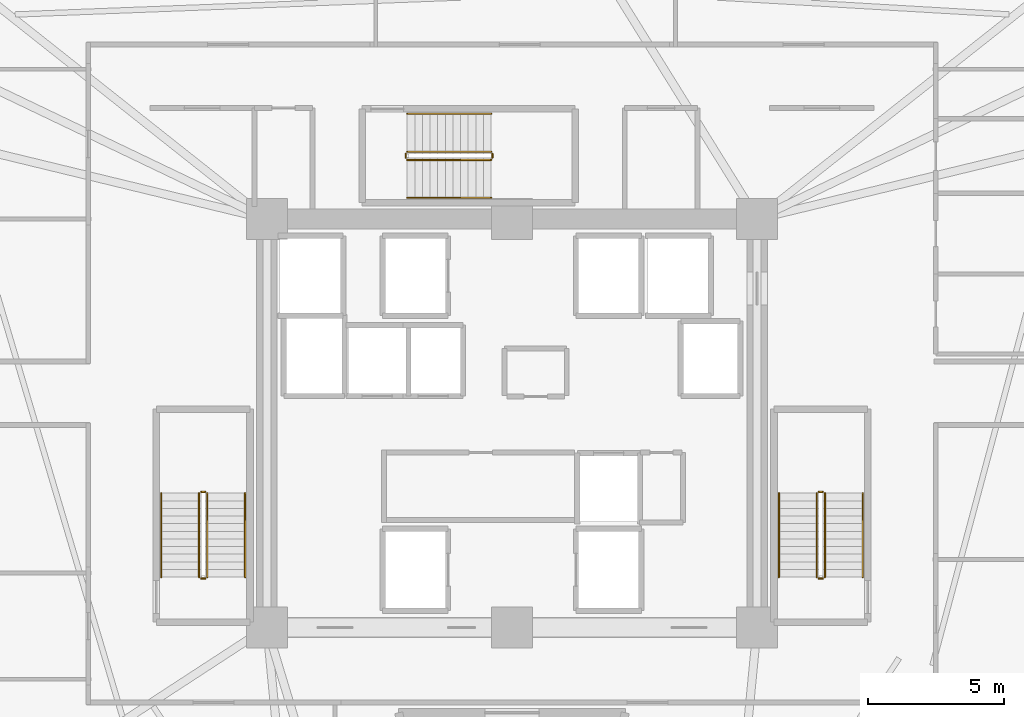
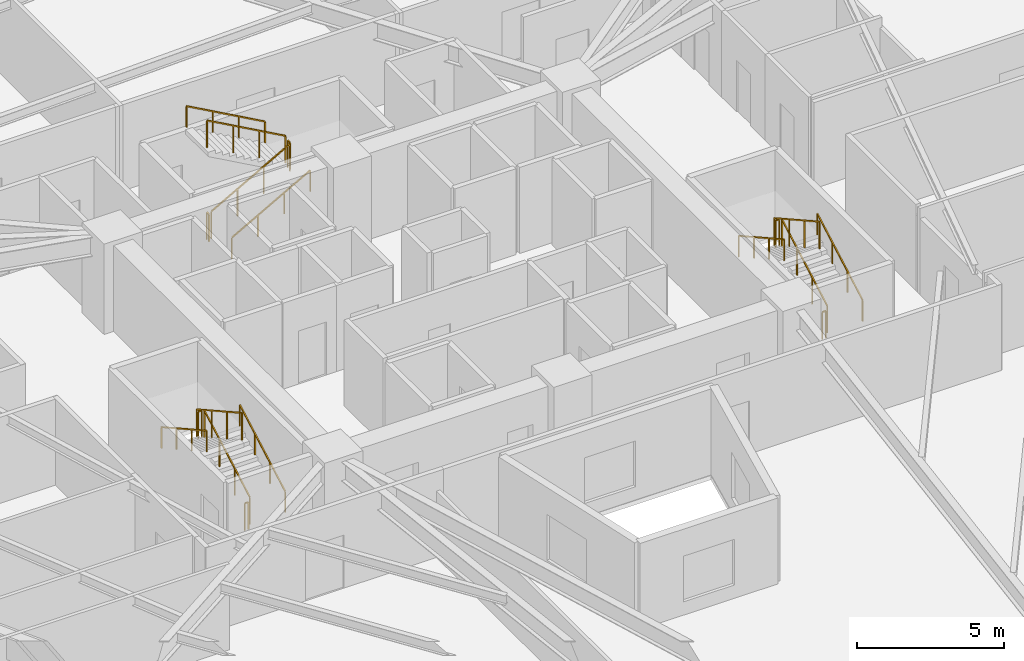
# One storey, part 8 of 8: 18 railings.
"""IFC4 building model written with IfcOpenShell, lengths in metres."""

from ifc_helpers import new_model, si_unit, direction, frame, origin, origin_2d, place, context, subcontext, project, spatial, rectangle, extrude, material, type_object, element, save


model = new_model("IFC4")

# Units and contexts
model_context = context("Model", 3, precision=1e-05, world=origin(), true_north=direction((0.0, 1.0)))
body_context = subcontext(model_context, "Body", "Model", "MODEL_VIEW")
ifc_project = project(units=[si_unit("LENGTHUNIT", "METRE"), si_unit("AREAUNIT", "SQUARE_METRE"), si_unit("VOLUMEUNIT", "CUBIC_METRE"), si_unit("PLANEANGLEUNIT", "RADIAN"), si_unit("MASSUNIT", "GRAM", prefix="KILO")], contexts=[model_context])

# Site, building, storey
site_placement = place(None, origin())
site = spatial("IfcSite", under=ifc_project, at=site_placement, CompositionType="ELEMENT")
building_placement = place(site_placement, origin())
building = spatial("IfcBuilding", under=site, at=building_placement, Name="Liaohun Quay Tower", CompositionType="ELEMENT")
storey_placement = place(building_placement, frame((0.0, 0.0, 109.5)))
storey = spatial("IfcBuildingStorey", under=building, at=storey_placement, Name="L28", CompositionType="ELEMENT", Elevation=109.5)

# Railings
ifc_material_1 = material(Name="Painted tubular steel", Category="steel")
railing_type_1 = type_object("IfcRailingType", Name="RLG-GUARD-STR", PredefinedType="GUARDRAIL", material=ifc_material_1)
railing_1_placement = place(storey_placement, frame((48.81005859375, 48.35009765625, 0.15625)))
element("IfcRailing", 1, at=railing_1_placement, inside=storey, type_object=railing_type_1, Name="L28 ST-1 stair guard 1", PredefinedType="GUARDRAIL", context=body_context, shape_type="SweptSolid", body=[
    extrude(rectangle(XDim=0.048095703125, YDim=0.048095703125, at=origin_2d()), frame((0.0, 0.0, 1.1259765625), z_axis=(0.0, 0.873225103656, 0.487317061414), x_axis=(-1.0, 0.0, 0.0)), (0.0, 0.0, 1.0), 3.52685546875),
    extrude(rectangle(XDim=0.0419921875, YDim=0.0419921875, at=origin_2d()), origin(), (0.0, 0.0, 1.0), 1.101806640625),
    extrude(rectangle(XDim=0.0419921875, YDim=0.0419921875, at=origin_2d()), frame((0.0, 1.026611328125, 0.572998046875)), (0.0, 0.0, 1.0), 1.101806640625),
    extrude(rectangle(XDim=0.0419921875, YDim=0.0419921875, at=origin_2d()), frame((0.0, 2.05322265625, 1.145751953125)), (0.0, 0.0, 1.0), 1.101806640625),
    extrude(rectangle(XDim=0.0419921875, YDim=0.0419921875, at=origin_2d()), frame((0.0, 3.079833984375, 1.71875)), (0.0, 0.0, 1.0), 1.101806640625),
])
railing_2_placement = place(storey_placement, frame((48.72998046875, 51.47998046875, 1.875)))
element("IfcRailing", 2, at=railing_2_placement, inside=storey, type_object=railing_type_1, Name="L28 ST-1 stair guard 2", PredefinedType="GUARDRAIL", context=body_context, shape_type="SweptSolid", body=[
    extrude(rectangle(XDim=0.048095703125, YDim=0.048095703125, at=origin_2d()), frame((0.0, 0.0, 1.1259765625), z_axis=(-1.0, 0.0, 0.0), x_axis=(0.0, -1.0, 0.0)), (0.0, 0.0, 1.0), 0.139892578125),
    extrude(rectangle(XDim=0.0419921875, YDim=0.0419921875, at=origin_2d()), origin(), (0.0, 0.0, 1.0), 1.101806640625),
    extrude(rectangle(XDim=0.0419921875, YDim=0.0419921875, at=origin_2d()), frame((-0.139892578125, 0.0, 0.0)), (0.0, 0.0, 1.0), 1.101806640625),
])
railing_3_placement = place(storey_placement, frame((48.510009765625, 51.429931640625, 2.03125)))
element("IfcRailing", 3, at=railing_3_placement, inside=storey, type_object=railing_type_1, Name="L28 ST-1 stair guard 3", PredefinedType="GUARDRAIL", context=body_context, shape_type="SweptSolid", body=[
    extrude(rectangle(XDim=0.048095703125, YDim=0.048095703125, at=origin_2d()), frame((0.0, 0.0, 1.1259765625), z_axis=(0.0, -0.873225103656, 0.487317061414), x_axis=(1.0, 0.0, 0.0)), (0.0, 0.0, 1.0), 3.52685546875),
    extrude(rectangle(XDim=0.0419921875, YDim=0.0419921875, at=origin_2d()), origin(), (0.0, 0.0, 1.0), 1.101806640625),
    extrude(rectangle(XDim=0.0419921875, YDim=0.0419921875, at=origin_2d()), frame((0.0, -1.026611328125, 0.572998046875)), (0.0, 0.0, 1.0), 1.101806640625),
    extrude(rectangle(XDim=0.0419921875, YDim=0.0419921875, at=origin_2d()), frame((0.0, -2.05322265625, 1.145751953125)), (0.0, 0.0, 1.0), 1.101806640625),
    extrude(rectangle(XDim=0.0419921875, YDim=0.0419921875, at=origin_2d()), frame((0.0, -3.079833984375, 1.71875)), (0.0, 0.0, 1.0), 1.101806640625),
])
railing_4_placement = place(storey_placement, frame((48.72998046875, 48.300048828125, 0.0)))
element("IfcRailing", 4, at=railing_4_placement, inside=storey, type_object=railing_type_1, Name="L28 ST-1 stair guard 4", PredefinedType="GUARDRAIL", context=body_context, shape_type="SweptSolid", body=[
    extrude(rectangle(XDim=0.048095703125, YDim=0.048095703125, at=origin_2d()), frame((0.0, 0.0, 1.1259765625), z_axis=(-1.0, 0.0, 0.0), x_axis=(0.0, -1.0, 0.0)), (0.0, 0.0, 1.0), 0.139892578125),
    extrude(rectangle(XDim=0.0419921875, YDim=0.0419921875, at=origin_2d()), origin(), (0.0, 0.0, 1.0), 1.101806640625),
    extrude(rectangle(XDim=0.0419921875, YDim=0.0419921875, at=origin_2d()), frame((-0.139892578125, 0.0, 0.0)), (0.0, 0.0, 1.0), 1.101806640625),
])
railing_5_placement = place(storey_placement, frame((71.489990234375, 48.35009765625, 0.15625)))
element("IfcRailing", 5, at=railing_5_placement, inside=storey, type_object=railing_type_1, Name="L28 ST-2 stair guard 1", PredefinedType="GUARDRAIL", context=body_context, shape_type="SweptSolid", body=[
    extrude(rectangle(XDim=0.048095703125, YDim=0.048095703125, at=origin_2d()), frame((0.0, 0.0, 1.1259765625), z_axis=(0.0, 0.873225103656, 0.487317061414), x_axis=(-1.0, 0.0, 0.0)), (0.0, 0.0, 1.0), 3.52685546875),
    extrude(rectangle(XDim=0.0419921875, YDim=0.0419921875, at=origin_2d()), origin(), (0.0, 0.0, 1.0), 1.101806640625),
    extrude(rectangle(XDim=0.0419921875, YDim=0.0419921875, at=origin_2d()), frame((0.0, 1.026611328125, 0.572998046875)), (0.0, 0.0, 1.0), 1.101806640625),
    extrude(rectangle(XDim=0.0419921875, YDim=0.0419921875, at=origin_2d()), frame((0.0, 2.05322265625, 1.145751953125)), (0.0, 0.0, 1.0), 1.101806640625),
    extrude(rectangle(XDim=0.0419921875, YDim=0.0419921875, at=origin_2d()), frame((0.0, 3.079833984375, 1.71875)), (0.0, 0.0, 1.0), 1.101806640625),
])
railing_6_placement = place(storey_placement, frame((71.409912109375, 51.47998046875, 1.875)))
element("IfcRailing", 6, at=railing_6_placement, inside=storey, type_object=railing_type_1, Name="L28 ST-2 stair guard 2", PredefinedType="GUARDRAIL", context=body_context, shape_type="SweptSolid", body=[
    extrude(rectangle(XDim=0.048095703125, YDim=0.048095703125, at=origin_2d()), frame((0.0, 0.0, 1.1259765625), z_axis=(-1.0, 0.0, 0.0), x_axis=(0.0, -1.0, 0.0)), (0.0, 0.0, 1.0), 0.139892578125),
    extrude(rectangle(XDim=0.0419921875, YDim=0.0419921875, at=origin_2d()), origin(), (0.0, 0.0, 1.0), 1.101806640625),
    extrude(rectangle(XDim=0.0419921875, YDim=0.0419921875, at=origin_2d()), frame((-0.139892578125, 0.0, 0.0)), (0.0, 0.0, 1.0), 1.101806640625),
])
railing_7_placement = place(storey_placement, frame((71.18994140625, 51.429931640625, 2.03125)))
element("IfcRailing", 7, at=railing_7_placement, inside=storey, type_object=railing_type_1, Name="L28 ST-2 stair guard 3", PredefinedType="GUARDRAIL", context=body_context, shape_type="SweptSolid", body=[
    extrude(rectangle(XDim=0.048095703125, YDim=0.048095703125, at=origin_2d()), frame((0.0, 0.0, 1.1259765625), z_axis=(0.0, -0.873225103656, 0.487317061414), x_axis=(1.0, 0.0, 0.0)), (0.0, 0.0, 1.0), 3.52685546875),
    extrude(rectangle(XDim=0.0419921875, YDim=0.0419921875, at=origin_2d()), origin(), (0.0, 0.0, 1.0), 1.101806640625),
    extrude(rectangle(XDim=0.0419921875, YDim=0.0419921875, at=origin_2d()), frame((0.0, -1.026611328125, 0.572998046875)), (0.0, 0.0, 1.0), 1.101806640625),
    extrude(rectangle(XDim=0.0419921875, YDim=0.0419921875, at=origin_2d()), frame((0.0, -2.05322265625, 1.145751953125)), (0.0, 0.0, 1.0), 1.101806640625),
    extrude(rectangle(XDim=0.0419921875, YDim=0.0419921875, at=origin_2d()), frame((0.0, -3.079833984375, 1.71875)), (0.0, 0.0, 1.0), 1.101806640625),
])
railing_8_placement = place(storey_placement, frame((71.409912109375, 48.300048828125, 0.0)))
element("IfcRailing", 8, at=railing_8_placement, inside=storey, type_object=railing_type_1, Name="L28 ST-2 stair guard 4", PredefinedType="GUARDRAIL", context=body_context, shape_type="SweptSolid", body=[
    extrude(rectangle(XDim=0.048095703125, YDim=0.048095703125, at=origin_2d()), frame((0.0, 0.0, 1.1259765625), z_axis=(-1.0, 0.0, 0.0), x_axis=(0.0, -1.0, 0.0)), (0.0, 0.0, 1.0), 0.139892578125),
    extrude(rectangle(XDim=0.0419921875, YDim=0.0419921875, at=origin_2d()), origin(), (0.0, 0.0, 1.0), 1.101806640625),
    extrude(rectangle(XDim=0.0419921875, YDim=0.0419921875, at=origin_2d()), frame((-0.139892578125, 0.0, 0.0)), (0.0, 0.0, 1.0), 1.101806640625),
])
railing_9_placement = place(storey_placement, frame((56.14990234375, 63.669921875, 0.15625)))
element("IfcRailing", 9, at=railing_9_placement, inside=storey, type_object=railing_type_1, Name="L28 ST-3 stair guard 1", PredefinedType="GUARDRAIL", context=body_context, shape_type="SweptSolid", body=[
    extrude(rectangle(XDim=0.048095703125, YDim=0.048095703125, at=origin_2d()), frame((0.0, 0.0, 1.1259765625), z_axis=(0.873241540666, 0.0, 0.487287606713), x_axis=(0.0, 1.0, 0.0)), (0.0, 0.0, 1.0), 3.527099609375),
    extrude(rectangle(XDim=0.0419921875, YDim=0.0419921875, at=origin_2d()), origin(), (0.0, 0.0, 1.0), 1.101806640625),
    extrude(rectangle(XDim=0.0419921875, YDim=0.0419921875, at=origin_2d()), frame((1.026611328125, 0.0, 0.572998046875)), (0.0, 0.0, 1.0), 1.101806640625),
    extrude(rectangle(XDim=0.0419921875, YDim=0.0419921875, at=origin_2d()), frame((2.053466796875, 0.0, 1.145751953125)), (0.0, 0.0, 1.0), 1.101806640625),
    extrude(rectangle(XDim=0.0419921875, YDim=0.0419921875, at=origin_2d()), frame((3.080078125, 0.0, 1.71875)), (0.0, 0.0, 1.0), 1.101806640625),
])
railing_10_placement = place(storey_placement, frame((59.280029296875, 63.75, 1.875)))
element("IfcRailing", 10, at=railing_10_placement, inside=storey, type_object=railing_type_1, Name="L28 ST-3 stair guard 2", PredefinedType="GUARDRAIL", context=body_context, shape_type="SweptSolid", body=[
    extrude(rectangle(XDim=0.048095703125, YDim=0.048095703125, at=origin_2d()), frame((0.0, 0.0, 1.1259765625), z_axis=(0.0, 1.0, 0.0), x_axis=(-1.0, 0.0, 0.0)), (0.0, 0.0, 1.0), 0.139892578125),
    extrude(rectangle(XDim=0.0419921875, YDim=0.0419921875, at=origin_2d()), origin(), (0.0, 0.0, 1.0), 1.101806640625),
    extrude(rectangle(XDim=0.0419921875, YDim=0.0419921875, at=origin_2d()), frame((0.0, 0.139892578125, 0.0)), (0.0, 0.0, 1.0), 1.101806640625),
])
railing_11_placement = place(storey_placement, frame((59.22998046875, 63.969970703125, 2.03125)))
element("IfcRailing", 11, at=railing_11_placement, inside=storey, type_object=railing_type_1, Name="L28 ST-3 stair guard 3", PredefinedType="GUARDRAIL", context=body_context, shape_type="SweptSolid", body=[
    extrude(rectangle(XDim=0.048095703125, YDim=0.048095703125, at=origin_2d()), frame((0.0, 0.0, 1.1259765625), z_axis=(-0.873241540666, 0.0, 0.487287606713), x_axis=(0.0, -1.0, 0.0)), (0.0, 0.0, 1.0), 3.527099609375),
    extrude(rectangle(XDim=0.0419921875, YDim=0.0419921875, at=origin_2d()), origin(), (0.0, 0.0, 1.0), 1.101806640625),
    extrude(rectangle(XDim=0.0419921875, YDim=0.0419921875, at=origin_2d()), frame((-1.026611328125, 0.0, 0.572998046875)), (0.0, 0.0, 1.0), 1.101806640625),
    extrude(rectangle(XDim=0.0419921875, YDim=0.0419921875, at=origin_2d()), frame((-2.053466796875, 0.0, 1.145751953125)), (0.0, 0.0, 1.0), 1.101806640625),
    extrude(rectangle(XDim=0.0419921875, YDim=0.0419921875, at=origin_2d()), frame((-3.080078125, 0.0, 1.71875)), (0.0, 0.0, 1.0), 1.101806640625),
])
railing_12_placement = place(storey_placement, frame((56.10009765625, 63.75, 0.0)))
element("IfcRailing", 12, at=railing_12_placement, inside=storey, type_object=railing_type_1, Name="L28 ST-3 stair guard 4", PredefinedType="GUARDRAIL", context=body_context, shape_type="SweptSolid", body=[
    extrude(rectangle(XDim=0.048095703125, YDim=0.048095703125, at=origin_2d()), frame((0.0, 0.0, 1.1259765625), z_axis=(0.0, 1.0, 0.0), x_axis=(-1.0, 0.0, 0.0)), (0.0, 0.0, 1.0), 0.139892578125),
    extrude(rectangle(XDim=0.0419921875, YDim=0.0419921875, at=origin_2d()), origin(), (0.0, 0.0, 1.0), 1.101806640625),
    extrude(rectangle(XDim=0.0419921875, YDim=0.0419921875, at=origin_2d()), frame((0.0, 0.139892578125, 0.0)), (0.0, 0.0, 1.0), 1.101806640625),
])
ifc_material_2 = material(Name="Brushed stainless steel", Category="steel")
railing_type_2 = type_object("IfcRailingType", Name="RLG-HND-STR", PredefinedType="HANDRAIL", material=ifc_material_2)
railing_13_placement = place(storey_placement, frame((50.199951171875, 48.35009765625, 0.15625)))
element("IfcRailing", 13, at=railing_13_placement, inside=storey, type_object=railing_type_2, Name="L28 ST-1 stair handrail 1", PredefinedType="HANDRAIL", context=body_context, shape_type="SweptSolid", body=[
    extrude(rectangle(XDim=0.048095703125, YDim=0.048095703125, at=origin_2d()), frame((0.0, 0.0, 0.8759765625), z_axis=(0.0, 0.873225103656, 0.487317061414), x_axis=(-1.0, 0.0, 0.0)), (0.0, 0.0, 1.0), 3.52685546875),
    extrude(rectangle(XDim=0.0419921875, YDim=0.0419921875, at=origin_2d()), origin(), (0.0, 0.0, 1.0), 0.851806640625),
    extrude(rectangle(XDim=0.0419921875, YDim=0.0419921875, at=origin_2d()), frame((0.0, 1.026611328125, 0.572998046875)), (0.0, 0.0, 1.0), 0.851806640625),
    extrude(rectangle(XDim=0.0419921875, YDim=0.0419921875, at=origin_2d()), frame((0.0, 2.05322265625, 1.145751953125)), (0.0, 0.0, 1.0), 0.851806640625),
    extrude(rectangle(XDim=0.0419921875, YDim=0.0419921875, at=origin_2d()), frame((0.0, 3.079833984375, 1.71875)), (0.0, 0.0, 1.0), 0.851806640625),
])
railing_14_placement = place(storey_placement, frame((47.1201171875, 51.429931640625, 2.03125)))
element("IfcRailing", 14, at=railing_14_placement, inside=storey, type_object=railing_type_2, Name="L28 ST-1 stair handrail 2", PredefinedType="HANDRAIL", context=body_context, shape_type="SweptSolid", body=[
    extrude(rectangle(XDim=0.048095703125, YDim=0.048095703125, at=origin_2d()), frame((0.0, 0.0, 0.8759765625), z_axis=(0.0, -0.873225103656, 0.487317061414), x_axis=(1.0, 0.0, 0.0)), (0.0, 0.0, 1.0), 3.52685546875),
    extrude(rectangle(XDim=0.0419921875, YDim=0.0419921875, at=origin_2d()), origin(), (0.0, 0.0, 1.0), 0.851806640625),
    extrude(rectangle(XDim=0.0419921875, YDim=0.0419921875, at=origin_2d()), frame((0.0, -1.026611328125, 0.572998046875)), (0.0, 0.0, 1.0), 0.851806640625),
    extrude(rectangle(XDim=0.0419921875, YDim=0.0419921875, at=origin_2d()), frame((0.0, -2.05322265625, 1.145751953125)), (0.0, 0.0, 1.0), 0.851806640625),
    extrude(rectangle(XDim=0.0419921875, YDim=0.0419921875, at=origin_2d()), frame((0.0, -3.079833984375, 1.71875)), (0.0, 0.0, 1.0), 0.851806640625),
])
railing_15_placement = place(storey_placement, frame((72.8798828125, 48.35009765625, 0.15625)))
element("IfcRailing", 15, at=railing_15_placement, inside=storey, type_object=railing_type_2, Name="L28 ST-2 stair handrail 1", PredefinedType="HANDRAIL", context=body_context, shape_type="SweptSolid", body=[
    extrude(rectangle(XDim=0.048095703125, YDim=0.048095703125, at=origin_2d()), frame((0.0, 0.0, 0.8759765625), z_axis=(0.0, 0.873225103656, 0.487317061414), x_axis=(-1.0, 0.0, 0.0)), (0.0, 0.0, 1.0), 3.52685546875),
    extrude(rectangle(XDim=0.0419921875, YDim=0.0419921875, at=origin_2d()), origin(), (0.0, 0.0, 1.0), 0.851806640625),
    extrude(rectangle(XDim=0.0419921875, YDim=0.0419921875, at=origin_2d()), frame((0.0, 1.026611328125, 0.572998046875)), (0.0, 0.0, 1.0), 0.851806640625),
    extrude(rectangle(XDim=0.0419921875, YDim=0.0419921875, at=origin_2d()), frame((0.0, 2.05322265625, 1.145751953125)), (0.0, 0.0, 1.0), 0.851806640625),
    extrude(rectangle(XDim=0.0419921875, YDim=0.0419921875, at=origin_2d()), frame((0.0, 3.079833984375, 1.71875)), (0.0, 0.0, 1.0), 0.851806640625),
])
railing_16_placement = place(storey_placement, frame((69.800048828125, 51.429931640625, 2.03125)))
element("IfcRailing", 16, at=railing_16_placement, inside=storey, type_object=railing_type_2, Name="L28 ST-2 stair handrail 2", PredefinedType="HANDRAIL", context=body_context, shape_type="SweptSolid", body=[
    extrude(rectangle(XDim=0.048095703125, YDim=0.048095703125, at=origin_2d()), frame((0.0, 0.0, 0.8759765625), z_axis=(0.0, -0.873225103656, 0.487317061414), x_axis=(1.0, 0.0, 0.0)), (0.0, 0.0, 1.0), 3.52685546875),
    extrude(rectangle(XDim=0.0419921875, YDim=0.0419921875, at=origin_2d()), origin(), (0.0, 0.0, 1.0), 0.851806640625),
    extrude(rectangle(XDim=0.0419921875, YDim=0.0419921875, at=origin_2d()), frame((0.0, -1.026611328125, 0.572998046875)), (0.0, 0.0, 1.0), 0.851806640625),
    extrude(rectangle(XDim=0.0419921875, YDim=0.0419921875, at=origin_2d()), frame((0.0, -2.05322265625, 1.145751953125)), (0.0, 0.0, 1.0), 0.851806640625),
    extrude(rectangle(XDim=0.0419921875, YDim=0.0419921875, at=origin_2d()), frame((0.0, -3.079833984375, 1.71875)), (0.0, 0.0, 1.0), 0.851806640625),
])
railing_17_placement = place(storey_placement, frame((56.14990234375, 62.280029296875, 0.15625)))
element("IfcRailing", 17, at=railing_17_placement, inside=storey, type_object=railing_type_2, Name="L28 ST-3 stair handrail 1", PredefinedType="HANDRAIL", context=body_context, shape_type="SweptSolid", body=[
    extrude(rectangle(XDim=0.048095703125, YDim=0.048095703125, at=origin_2d()), frame((0.0, 0.0, 0.8759765625), z_axis=(0.873241540666, 0.0, 0.487287606713), x_axis=(0.0, 1.0, 0.0)), (0.0, 0.0, 1.0), 3.527099609375),
    extrude(rectangle(XDim=0.0419921875, YDim=0.0419921875, at=origin_2d()), origin(), (0.0, 0.0, 1.0), 0.851806640625),
    extrude(rectangle(XDim=0.0419921875, YDim=0.0419921875, at=origin_2d()), frame((1.026611328125, 0.0, 0.572998046875)), (0.0, 0.0, 1.0), 0.851806640625),
    extrude(rectangle(XDim=0.0419921875, YDim=0.0419921875, at=origin_2d()), frame((2.053466796875, 0.0, 1.145751953125)), (0.0, 0.0, 1.0), 0.851806640625),
    extrude(rectangle(XDim=0.0419921875, YDim=0.0419921875, at=origin_2d()), frame((3.080078125, 0.0, 1.71875)), (0.0, 0.0, 1.0), 0.851806640625),
])
railing_18_placement = place(storey_placement, frame((59.22998046875, 65.360107421875, 2.03125)))
element("IfcRailing", 18, at=railing_18_placement, inside=storey, type_object=railing_type_2, Name="L28 ST-3 stair handrail 2", PredefinedType="HANDRAIL", context=body_context, shape_type="SweptSolid", body=[
    extrude(rectangle(XDim=0.048095703125, YDim=0.048095703125, at=origin_2d()), frame((0.0, 0.0, 0.8759765625), z_axis=(-0.873241540666, 0.0, 0.487287606713), x_axis=(0.0, -1.0, 0.0)), (0.0, 0.0, 1.0), 3.527099609375),
    extrude(rectangle(XDim=0.0419921875, YDim=0.0419921875, at=origin_2d()), origin(), (0.0, 0.0, 1.0), 0.851806640625),
    extrude(rectangle(XDim=0.0419921875, YDim=0.0419921875, at=origin_2d()), frame((-1.026611328125, 0.0, 0.572998046875)), (0.0, 0.0, 1.0), 0.851806640625),
    extrude(rectangle(XDim=0.0419921875, YDim=0.0419921875, at=origin_2d()), frame((-2.053466796875, 0.0, 1.145751953125)), (0.0, 0.0, 1.0), 0.851806640625),
    extrude(rectangle(XDim=0.0419921875, YDim=0.0419921875, at=origin_2d()), frame((-3.080078125, 0.0, 1.71875)), (0.0, 0.0, 1.0), 0.851806640625),
])

save(model, "model.ifc")
